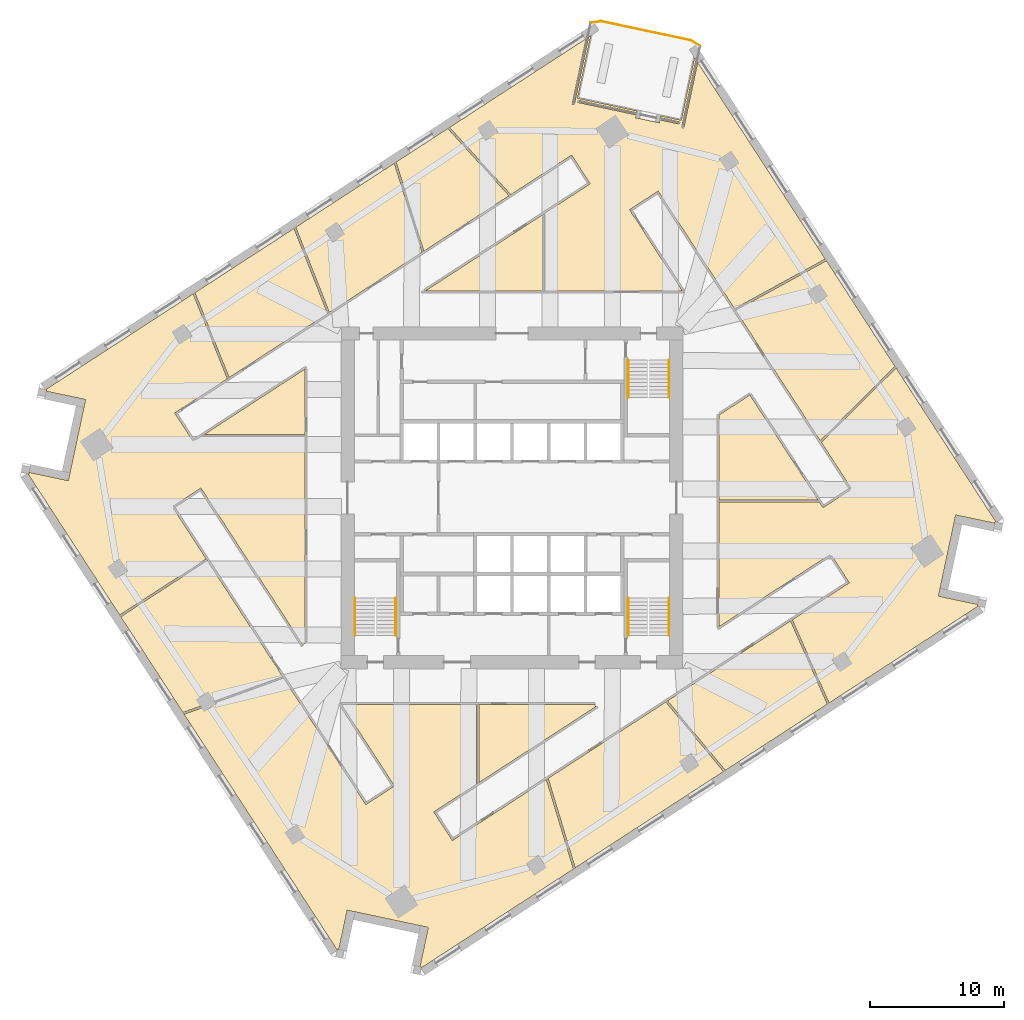
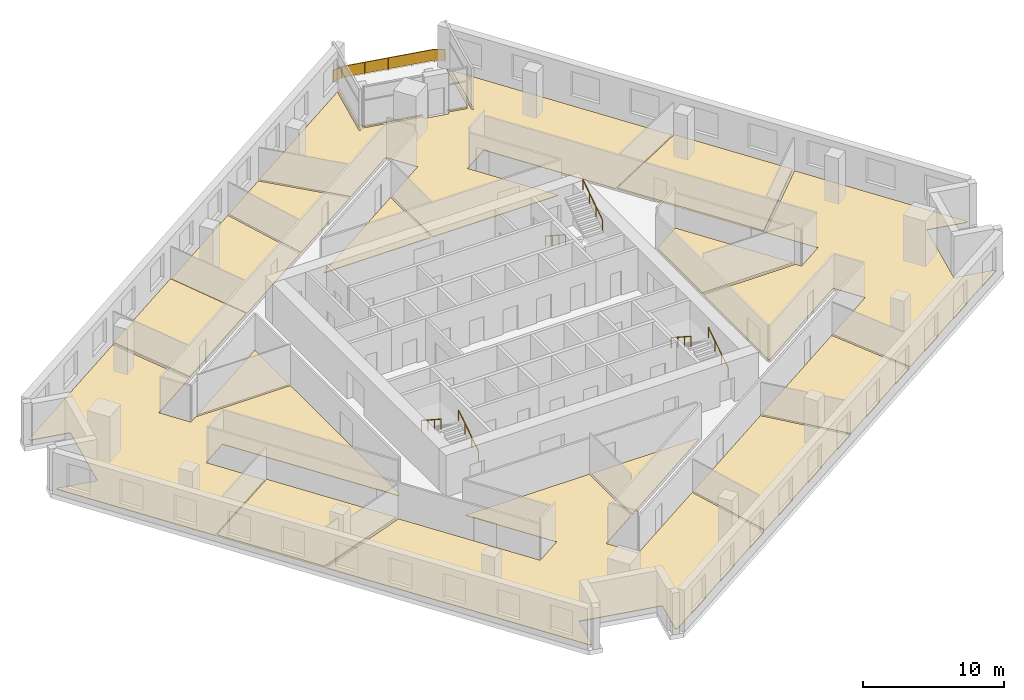
# One storey, part 11 of 12: 15 coverings, 7 railings.
"""IFC4 building model written with IfcOpenShell, lengths in metres."""

from ifc_helpers import new_model, si_unit, direction, frame, origin, origin_2d, place, context, subcontext, project, spatial, polyline, rectangle, circle, outline, extrude, material, layer, layer_set, type_object, element, save


model = new_model("IFC4")

# Units and contexts
model_context = context("Model", 3, precision=1e-05, world=origin(), true_north=direction((0.0, 1.0)))
body_context = subcontext(model_context, "Body", "Model", "MODEL_VIEW")
ifc_project = project(units=[si_unit("LENGTHUNIT", "METRE"), si_unit("AREAUNIT", "SQUARE_METRE"), si_unit("VOLUMEUNIT", "CUBIC_METRE"), si_unit("PLANEANGLEUNIT", "RADIAN"), si_unit("MASSUNIT", "GRAM", prefix="KILO")], contexts=[model_context])

# Site, building, storey
site_placement = place(None, origin())
site = spatial("IfcSite", under=ifc_project, at=site_placement, CompositionType="ELEMENT")
building_placement = place(site_placement, origin())
building = spatial("IfcBuilding", under=site, at=building_placement, Name="Dilmun Exchange Tower", CompositionType="ELEMENT")
storey_placement = place(building_placement, frame((0.0, 0.0, 155.699951171875)))
storey = spatial("IfcBuildingStorey", under=building, at=storey_placement, Name="L36", CompositionType="ELEMENT", Elevation=155.699951171875)

# Coverings
ifc_material_1 = material(Name="Carpet floor finish 50")
ifc_layer_1 = layer(ifc_material_1, 0.050048828125)
ifc_layer_set_1 = layer_set([ifc_layer_1], Name="Carpet floor finish 50")
covering_type_1 = type_object("IfcCoveringType", Name="Carpet floor finish 50", PredefinedType="FLOORING", material=ifc_layer_set_1)
covering_1_placement = place(storey_placement, origin())
element("IfcCovering", 1, at=covering_1_placement, inside=storey, type_object=covering_type_1, Name="Carpet floor finish 50 Open office 1", PredefinedType="FLOORING", context=body_context, shape_type="SweptSolid", body=[
    extrude(outline(polyline([(-23.27685546875, 0.72998046875), (-25.415283203125, -0.658935546875), (-22.8759765625, -4.5693359375), (-29.35791015625, -8.769775390625), (-36.230712890625, 1.813720703125), (-36.16162109375, 1.798828125), (-36.161376953125, 1.798828125), (-36.1611328125, 1.798828125), (-36.160888671875, 1.798828125), (-36.16064453125, 1.798828125), (-36.160400390625, 1.798828125), (-36.160400390625, 1.799072265625), (-36.16015625, 1.799072265625), (-36.159912109375, 1.799072265625), (-36.159912109375, 1.79931640625), (-36.15966796875, 1.79931640625), (-36.159423828125, 1.799560546875), (-36.159423828125, 1.7998046875), (-36.1591796875, 1.7998046875), (-36.1591796875, 1.800048828125), (-36.1591796875, 1.80029296875), (-36.1591796875, 1.80029296875), (-36.136474609375, 1.9072265625), (-33.203857421875, 1.283935546875), (-33.20361328125, 1.283935546875), (-33.20361328125, 1.283935546875), (-33.203369140625, 1.283935546875), (-33.203125, 1.283935546875), (-33.202880859375, 1.283935546875), (-33.20263671875, 1.2841796875), (-33.202392578125, 1.2841796875), (-33.202392578125, 1.2841796875), (-33.2021484375, 1.284423828125), (-33.2021484375, 1.284423828125), (-33.201904296875, 1.28466796875), (-33.201904296875, 1.284912109375), (-33.20166015625, 1.284912109375), (-33.20166015625, 1.28515625), (-33.20166015625, 1.285400390625), (-33.201416015625, 1.285400390625), (-33.076904296875, 1.872314453125), (-33.07666015625, 1.87255859375), (-33.07666015625, 1.872802734375), (-32.037109375, 6.76318359375), (-32.037109375, 6.76318359375), (-32.037109375, 6.763427734375), (-31.91259765625, 7.35009765625), (-31.912353515625, 7.35009765625), (-31.912353515625, 7.350341796875), (-31.912353515625, 7.3505859375), (-31.91259765625, 7.350830078125), (-31.91259765625, 7.35107421875), (-31.91259765625, 7.351318359375), (-31.91259765625, 7.351318359375), (-31.912841796875, 7.3515625), (-31.912841796875, 7.351806640625), (-31.9130859375, 7.351806640625), (-31.9130859375, 7.35205078125), (-31.913330078125, 7.35205078125), (-31.91357421875, 7.352294921875), (-31.91357421875, 7.352294921875), (-31.913818359375, 7.352294921875), (-31.9140625, 7.352294921875), (-34.846435546875, 7.9755859375), (-34.82373046875, 8.08251953125), (-34.82373046875, 8.082763671875), (-34.82373046875, 8.0830078125), (-34.82373046875, 8.083251953125), (-34.82373046875, 8.08349609375), (-34.82373046875, 8.08349609375), (-34.823974609375, 8.083740234375), (-34.823974609375, 8.083984375), (-34.82421875, 8.083984375), (-34.82421875, 8.084228515625), (-34.82421875, 8.08447265625), (-34.824462890625, 8.084716796875), (-34.82470703125, 8.084716796875), (-34.82470703125, 8.084716796875), (-34.824951171875, 8.0849609375), (-34.8251953125, 8.0849609375), (-34.8251953125, 8.0849609375), (-34.894775390625, 8.099609375), (-23.85595703125, 15.268310546875), (-21.294189453125, 8.91455078125), (-25.238037109375, 6.353515625), (-23.84912109375, 4.21484375), (-23.259033203125, 4.59814453125), (-15.47509765625, 4.59814453125), (-15.47509765625, -10.8701171875), (-15.6640625, -10.992919921875), (-23.27685546875, 0.72998046875)])), origin(), (0.0, 0.0, 1.0), 0.050048828125),
])
covering_2_placement = place(storey_placement, origin())
element("IfcCovering", 2, at=covering_2_placement, inside=storey, type_object=covering_type_1, Name="Carpet floor finish 50 Break-out lounge 1", PredefinedType="FLOORING", context=body_context, shape_type="SweptSolid", body=[
    extrude(outline(polyline([(-15.47509765625, 4.748046875), (-23.028076171875, 4.748046875), (-15.47509765625, 9.653076171875), (-15.47509765625, 4.748046875)])), origin(), (0.0, 0.0, 1.0), 0.050048828125),
])
covering_3_placement = place(storey_placement, origin())
element("IfcCovering", 3, at=covering_3_placement, inside=storey, type_object=covering_type_1, Name="Carpet floor finish 50 Open office 2", PredefinedType="FLOORING", context=body_context, shape_type="SweptSolid", body=[
    extrude(outline(polyline([(-17.07958984375, -13.4951171875), (-10.939453125, -22.9501953125), (-8.80078125, -21.561279296875), (-12.753173828125, -15.47509765625), (-2.6025390625, -15.47509765625), (-2.6025390625, -21.392822265625), (-5.85009765625, -23.501708984375), (-4.461181640625, -25.640380859375), (2.573486328125, -21.072021484375), (4.5986328125, -27.774169921875), (-6.79345703125, -35.17236328125), (-6.77880859375, -35.10302734375), (-6.77880859375, -35.102783203125), (-6.77880859375, -35.1025390625), (-6.77880859375, -35.102294921875), (-6.77880859375, -35.102294921875), (-6.77880859375, -35.10205078125), (-6.77880859375, -35.101806640625), (-6.779052734375, -35.1015625), (-6.779052734375, -35.1015625), (-6.779296875, -35.101318359375), (-6.779296875, -35.101318359375), (-6.779296875, -35.10107421875), (-6.779541015625, -35.100830078125), (-6.77978515625, -35.100830078125), (-6.77978515625, -35.1005859375), (-6.780029296875, -35.1005859375), (-6.7802734375, -35.1005859375), (-6.88720703125, -35.077880859375), (-6.263916015625, -32.1455078125), (-6.263916015625, -32.145263671875), (-6.263916015625, -32.14501953125), (-6.263916015625, -32.144775390625), (-6.263916015625, -32.14453125), (-6.263916015625, -32.144287109375), (-6.263916015625, -32.144287109375), (-6.26416015625, -32.14404296875), (-6.26416015625, -32.143798828125), (-6.264404296875, -32.143798828125), (-6.264404296875, -32.1435546875), (-6.2646484375, -32.143310546875), (-6.2646484375, -32.143310546875), (-6.264892578125, -32.143310546875), (-6.26513671875, -32.14306640625), (-6.26513671875, -32.14306640625), (-6.265380859375, -32.14306640625), (-6.852294921875, -32.018310546875), (-6.8525390625, -32.018310546875), (-6.8525390625, -32.018310546875), (-11.742919921875, -30.978759765625), (-11.7431640625, -30.978759765625), (-11.743408203125, -30.978759765625), (-12.329833984375, -30.85400390625), (-12.330078125, -30.85400390625), (-12.330322265625, -30.85400390625), (-12.33056640625, -30.85400390625), (-12.330810546875, -30.85400390625), (-12.330810546875, -30.85400390625), (-12.3310546875, -30.85400390625), (-12.331298828125, -30.854248046875), (-12.331298828125, -30.854248046875), (-12.33154296875, -30.8544921875), (-12.331787109375, -30.8544921875), (-12.331787109375, -30.8544921875), (-12.33203125, -30.854736328125), (-12.33203125, -30.85498046875), (-12.332275390625, -30.85498046875), (-12.332275390625, -30.855224609375), (-12.332275390625, -30.85546875), (-12.95556640625, -33.7880859375), (-13.0625, -33.765380859375), (-13.062744140625, -33.765380859375), (-13.06298828125, -33.765380859375), (-13.06298828125, -33.765380859375), (-13.063232421875, -33.765380859375), (-13.0634765625, -33.765380859375), (-13.063720703125, -33.765380859375), (-13.063720703125, -33.765380859375), (-13.06396484375, -33.765625), (-13.064208984375, -33.765625), (-13.064208984375, -33.765869140625), (-13.064453125, -33.76611328125), (-13.064697265625, -33.76611328125), (-13.064697265625, -33.766357421875), (-13.064697265625, -33.7666015625), (-13.064697265625, -33.7666015625), (-13.06494140625, -33.766845703125), (-13.07958984375, -33.836181640625), (-24.5380859375, -16.191650390625), (-17.07958984375, -13.4951171875)])), origin(), (0.0, 0.0, 1.0), 0.050048828125),
])
covering_4_placement = place(storey_placement, origin())
element("IfcCovering", 4, at=covering_4_placement, inside=storey, type_object=covering_type_1, Name="Carpet floor finish 50 Break-out lounge 2", PredefinedType="FLOORING", context=body_context, shape_type="SweptSolid", body=[
    extrude(outline(polyline([(-2.45263671875, -15.47509765625), (6.1884765625, -15.47509765625), (6.283935546875, -15.621826171875), (-2.45263671875, -21.29541015625), (-2.45263671875, -15.47509765625)])), origin(), (0.0, 0.0, 1.0), 0.050048828125),
])
covering_5_placement = place(storey_placement, origin())
element("IfcCovering", 5, at=covering_5_placement, inside=storey, type_object=covering_type_1, Name="Carpet floor finish 50 Break-out lounge 3", PredefinedType="FLOORING", context=body_context, shape_type="SweptSolid", body=[
    extrude(outline(polyline([(11.509033203125, -15.269287109375), (15.8349609375, -20.477294921875), (4.7294921875, -27.689208984375), (2.70458984375, -20.98681640625), (11.509033203125, -15.269287109375)])), origin(), (0.0, 0.0, 1.0), 0.050048828125),
])
covering_6_placement = place(storey_placement, origin())
element("IfcCovering", 6, at=covering_6_placement, inside=storey, type_object=covering_type_1, Name="Carpet floor finish 50 Garden lounge", PredefinedType="FLOORING", context=body_context, shape_type="SweptSolid", body=[
    extrude(outline(polyline([(2.45654296875, 15.47509765625), (2.45654296875, 21.298095703125), (5.85009765625, 23.501708984375), (4.461181640625, 25.640380859375), (-0.087646484375, 22.686279296875), (-4.6796875, 27.721435546875), (5.538818359375, 34.357666015625), (4.49658203125, 29.4541015625), (4.49658203125, 29.453857421875), (4.49658203125, 29.45361328125), (4.49658203125, 29.45361328125), (4.49658203125, 29.453369140625), (4.49658203125, 29.453125), (4.49658203125, 29.452880859375), (4.496826171875, 29.45263671875), (4.496826171875, 29.452392578125), (4.4970703125, 29.452392578125), (4.4970703125, 29.4521484375), (4.497314453125, 29.4521484375), (4.497314453125, 29.451904296875), (4.49755859375, 29.451904296875), (4.497802734375, 29.451904296875), (4.497802734375, 29.45166015625), (4.498046875, 29.45166015625), (4.654541015625, 29.41845703125), (4.65478515625, 29.41845703125), (4.655029296875, 29.41845703125), (4.6552734375, 29.41845703125), (4.655517578125, 29.41845703125), (4.655517578125, 29.41845703125), (4.65576171875, 29.41845703125), (4.656005859375, 29.418701171875), (4.656005859375, 29.418701171875), (4.65625, 29.418701171875), (4.656494140625, 29.4189453125), (4.656494140625, 29.419189453125), (4.65673828125, 29.419189453125), (4.65673828125, 29.41943359375), (4.656982421875, 29.419677734375), (4.656982421875, 29.419921875), (4.656982421875, 29.419921875), (5.7333984375, 34.48388671875), (5.903076171875, 34.593994140625), (4.906005859375, 29.90380859375), (9.368408203125, 28.955078125), (9.338623046875, 28.815185546875), (4.94970703125, 29.748291015625), (4.949462890625, 29.748291015625), (4.94921875, 29.748291015625), (4.94921875, 29.748291015625), (4.948974609375, 29.748291015625), (4.94873046875, 29.748291015625), (4.948486328125, 29.748291015625), (4.9482421875, 29.748046875), (4.947998046875, 29.748046875), (4.947998046875, 29.747802734375), (4.94775390625, 29.747802734375), (4.94775390625, 29.74755859375), (4.947509765625, 29.74755859375), (4.947509765625, 29.747314453125), (4.947509765625, 29.7470703125), (4.947265625, 29.7470703125), (4.947265625, 29.746826171875), (4.9140625, 29.59033203125), (4.9140625, 29.590087890625), (4.9140625, 29.58984375), (4.9140625, 29.589599609375), (4.9140625, 29.589599609375), (4.9140625, 29.58935546875), (4.9140625, 29.589111328125), (4.914306640625, 29.5888671875), (4.914306640625, 29.5888671875), (4.914306640625, 29.588623046875), (4.91455078125, 29.58837890625), (4.914794921875, 29.58837890625), (4.914794921875, 29.588134765625), (4.9150390625, 29.588134765625), (4.915283203125, 29.587890625), (4.915283203125, 29.587890625), (4.91552734375, 29.587890625), (9.3046875, 28.65478515625), (9.25927734375, 28.441650390625), (9.25927734375, 28.44140625), (9.25927734375, 28.44140625), (9.25927734375, 28.441162109375), (9.25927734375, 28.44091796875), (9.25927734375, 28.440673828125), (9.259521484375, 28.4404296875), (9.259521484375, 28.440185546875), (9.259521484375, 28.440185546875), (9.259765625, 28.43994140625), (9.259765625, 28.43994140625), (9.260009765625, 28.439697265625), (9.260009765625, 28.439697265625), (9.26025390625, 28.439453125), (9.260498046875, 28.439453125), (9.260498046875, 28.439208984375), (9.2607421875, 28.439208984375), (11.021484375, 28.065185546875), (11.021728515625, 28.065185546875), (11.02197265625, 28.065185546875), (11.022216796875, 28.065185546875), (11.022216796875, 28.065185546875), (11.0224609375, 28.065185546875), (11.022705078125, 28.065185546875), (11.02294921875, 28.065185546875), (11.02294921875, 28.0654296875), (11.023193359375, 28.0654296875), (11.023193359375, 28.065673828125), (11.0234375, 28.06591796875), (11.023681640625, 28.06591796875), (11.023681640625, 28.066162109375), (11.023681640625, 28.06640625), (11.023681640625, 28.06640625), (11.02392578125, 28.066650390625), (11.069091796875, 28.27978515625), (12.523681640625, 27.970703125), (12.52392578125, 27.970703125), (12.524169921875, 27.970703125), (12.5244140625, 27.970703125), (12.5244140625, 27.970703125), (12.524658203125, 27.970703125), (12.52490234375, 27.970703125), (12.525146484375, 27.970947265625), (12.525390625, 27.970947265625), (12.525390625, 27.97119140625), (12.525634765625, 27.97119140625), (12.525634765625, 27.971435546875), (12.52587890625, 27.971435546875), (12.52587890625, 27.9716796875), (12.52587890625, 27.971923828125), (12.526123046875, 27.971923828125), (12.526123046875, 27.97216796875), (12.559326171875, 28.128662109375), (12.559326171875, 28.12890625), (12.559326171875, 28.129150390625), (12.559326171875, 28.12939453125), (12.559326171875, 28.12939453125), (12.559326171875, 28.129638671875), (12.559326171875, 28.1298828125), (12.55908203125, 28.130126953125), (12.55908203125, 28.130126953125), (12.55908203125, 28.13037109375), (12.558837890625, 28.130615234375), (12.55859375, 28.130615234375), (12.55859375, 28.130859375), (12.558349609375, 28.130859375), (12.55810546875, 28.131103515625), (12.55810546875, 28.131103515625), (12.557861328125, 28.131103515625), (11.103271484375, 28.440185546875), (11.133056640625, 28.580078125), (12.660888671875, 28.25537109375), (13.657958984375, 32.94580078125), (13.76806640625, 32.776123046875), (12.691650390625, 27.712158203125), (12.691650390625, 27.7119140625), (12.691650390625, 27.7119140625), (12.691650390625, 27.711669921875), (12.691650390625, 27.71142578125), (12.691650390625, 27.711181640625), (12.69189453125, 27.7109375), (12.69189453125, 27.710693359375), (12.69189453125, 27.710693359375), (12.692138671875, 27.71044921875), (12.692138671875, 27.710205078125), (12.6923828125, 27.710205078125), (12.6923828125, 27.710205078125), (12.692626953125, 27.7099609375), (12.69287109375, 27.7099609375), (12.693115234375, 27.709716796875), (12.693115234375, 27.709716796875), (12.849609375, 27.676513671875), (12.849853515625, 27.676513671875), (12.85009765625, 27.676513671875), (12.850341796875, 27.676513671875), (12.8505859375, 27.676513671875), (12.8505859375, 27.676513671875), (12.850830078125, 27.676513671875), (12.85107421875, 27.6767578125), (12.851318359375, 27.6767578125), (12.851318359375, 27.677001953125), (12.8515625, 27.677001953125), (12.851806640625, 27.67724609375), (12.851806640625, 27.67724609375), (12.851806640625, 27.677490234375), (12.85205078125, 27.677734375), (12.85205078125, 27.677978515625), (12.85205078125, 27.677978515625), (13.894287109375, 32.58154296875), (23.4462890625, 17.872802734375), (16.652587890625, 14.15234375), (10.939453125, 22.9501953125), (8.80078125, 21.561279296875), (12.753173828125, 15.47509765625), (2.45654296875, 15.47509765625)])), origin(), (0.0, 0.0, 1.0), 0.050048828125),
])
covering_7_placement = place(storey_placement, origin())
element("IfcCovering", 7, at=covering_7_placement, inside=storey, type_object=covering_type_1, Name="Carpet floor finish 50 Break-out lounge 4", PredefinedType="FLOORING", context=body_context, shape_type="SweptSolid", body=[
    extrude(outline(polyline([(20.844482421875, -9.206787109375), (23.59716796875, -15.436279296875), (15.961669921875, -20.39501953125), (11.635498046875, -15.18701171875), (20.844482421875, -9.206787109375)])), origin(), (0.0, 0.0, 1.0), 0.050048828125),
])
covering_8_placement = place(storey_placement, origin())
element("IfcCovering", 8, at=covering_8_placement, inside=storey, type_object=covering_type_1, Name="Carpet floor finish 50 Open office 3", PredefinedType="FLOORING", context=body_context, shape_type="SweptSolid", body=[
    extrude(outline(polyline([(20.9716796875, -9.123779296875), (25.238037109375, -6.353515625), (23.84912109375, -4.21484375), (15.47509765625, -9.653076171875), (15.47509765625, -0.326416015625), (23.014892578125, -0.326416015625), (23.27685546875, -0.72998046875), (25.415283203125, 0.658935546875), (23.1474609375, 4.1513671875), (28.740478515625, 9.72021484375), (36.230712890625, -1.813720703125), (36.16162109375, -1.798828125), (36.161376953125, -1.798828125), (36.1611328125, -1.798828125), (36.160888671875, -1.798828125), (36.16064453125, -1.798828125), (36.160400390625, -1.798828125), (36.160400390625, -1.799072265625), (36.16015625, -1.799072265625), (36.159912109375, -1.799072265625), (36.159912109375, -1.79931640625), (36.15966796875, -1.79931640625), (36.159423828125, -1.799560546875), (36.159423828125, -1.7998046875), (36.1591796875, -1.7998046875), (36.1591796875, -1.800048828125), (36.1591796875, -1.80029296875), (36.1591796875, -1.80029296875), (36.136474609375, -1.9072265625), (33.203857421875, -1.283935546875), (33.20361328125, -1.283935546875), (33.20361328125, -1.283935546875), (33.203369140625, -1.283935546875), (33.203125, -1.283935546875), (33.202880859375, -1.283935546875), (33.20263671875, -1.2841796875), (33.202392578125, -1.2841796875), (33.202392578125, -1.2841796875), (33.2021484375, -1.284423828125), (33.2021484375, -1.284423828125), (33.201904296875, -1.28466796875), (33.201904296875, -1.284912109375), (33.20166015625, -1.284912109375), (33.20166015625, -1.28515625), (33.20166015625, -1.285400390625), (33.201416015625, -1.285400390625), (33.076904296875, -1.872314453125), (33.07666015625, -1.87255859375), (33.07666015625, -1.872802734375), (32.037109375, -6.76318359375), (32.037109375, -6.76318359375), (32.037109375, -6.763427734375), (31.91259765625, -7.35009765625), (31.912353515625, -7.35009765625), (31.912353515625, -7.350341796875), (31.912353515625, -7.3505859375), (31.91259765625, -7.350830078125), (31.91259765625, -7.35107421875), (31.91259765625, -7.351318359375), (31.91259765625, -7.351318359375), (31.912841796875, -7.3515625), (31.912841796875, -7.351806640625), (31.9130859375, -7.351806640625), (31.9130859375, -7.35205078125), (31.913330078125, -7.35205078125), (31.91357421875, -7.352294921875), (31.91357421875, -7.352294921875), (31.913818359375, -7.352294921875), (31.9140625, -7.352294921875), (34.846435546875, -7.9755859375), (34.82373046875, -8.08251953125), (34.82373046875, -8.082763671875), (34.82373046875, -8.0830078125), (34.82373046875, -8.083251953125), (34.82373046875, -8.08349609375), (34.82373046875, -8.08349609375), (34.823974609375, -8.083740234375), (34.823974609375, -8.083984375), (34.82421875, -8.083984375), (34.82421875, -8.084228515625), (34.82421875, -8.08447265625), (34.824462890625, -8.084716796875), (34.82470703125, -8.084716796875), (34.82470703125, -8.084716796875), (34.824951171875, -8.0849609375), (34.8251953125, -8.0849609375), (34.8251953125, -8.0849609375), (34.894775390625, -8.099609375), (23.724609375, -15.353759765625), (20.9716796875, -9.123779296875)])), origin(), (0.0, 0.0, 1.0), 0.050048828125),
])
ifc_material_2 = material(Name="Raised access floor 150")
ifc_layer_2 = layer(ifc_material_2, 0.14990234375)
ifc_layer_set_2 = layer_set([ifc_layer_2], Name="Raised access floor 150")
covering_type_2 = type_object("IfcCoveringType", Name="Raised access floor 150", PredefinedType="FLOORING", material=ifc_layer_set_2)
covering_9_placement = place(storey_placement, origin())
element("IfcCovering", 9, at=covering_9_placement, inside=storey, type_object=covering_type_2, Name="Raised access floor 150 Data room 1", PredefinedType="FLOORING", context=body_context, shape_type="SweptSolid", body=[
    extrude(outline(polyline([(-22.794189453125, -4.695068359375), (-17.163330078125, -13.365966796875), (-24.6220703125, -16.0625), (-29.276123046875, -8.8955078125), (-22.794189453125, -4.695068359375)])), origin(), (0.0, 0.0, 1.0), 0.150146484375),
])
covering_10_placement = place(storey_placement, origin())
element("IfcCovering", 10, at=covering_10_placement, inside=storey, type_object=covering_type_2, Name="Raised access floor 150 Data room 2", PredefinedType="FLOORING", context=body_context, shape_type="SweptSolid", body=[
    extrude(outline(polyline([(-13.792724609375, 13.7861328125), (-21.166015625, 8.997802734375), (-23.727783203125, 15.3515625), (-16.311767578125, 20.16748046875), (-13.792724609375, 13.7861328125)])), origin(), (0.0, 0.0, 1.0), 0.150146484375),
])
covering_11_placement = place(storey_placement, origin())
element("IfcCovering", 11, at=covering_11_placement, inside=storey, type_object=covering_type_2, Name="Raised access floor 150 Data room 3", PredefinedType="FLOORING", context=body_context, shape_type="SweptSolid", body=[
    extrude(outline(polyline([(15.47509765625, 6.1884765625), (17.802490234375, 7.699951171875), (22.91748046875, -0.17626953125), (15.47509765625, -0.17626953125), (15.47509765625, 6.1884765625)])), origin(), (0.0, 0.0, 1.0), 0.150146484375),
])
covering_12_placement = place(storey_placement, origin())
element("IfcCovering", 12, at=covering_12_placement, inside=storey, type_object=covering_type_2, Name="Raised access floor 150 Data room 4", PredefinedType="FLOORING", context=body_context, shape_type="SweptSolid", body=[
    extrude(outline(polyline([(23.06396484375, 4.27978515625), (16.734619140625, 14.026123046875), (23.5283203125, 17.74658203125), (28.656982421875, 9.848876953125), (23.06396484375, 4.27978515625)])), origin(), (0.0, 0.0, 1.0), 0.150146484375),
])

# Railings
ifc_material_3 = material(Name="Stainless steel", Category="steel")
railing_type_1 = type_object("IfcRailingType", Name="Stair handrail 900", PredefinedType="HANDRAIL", material=ifc_material_3)
railing_1_placement = place(storey_placement, frame((8.699951171875, 10.300048828125, 0.181884765625)))
element("IfcRailing", 13, at=railing_1_placement, inside=storey, type_object=railing_type_1, Name="L36 ST1 stair handrail 1", PredefinedType="HANDRAIL", context=body_context, shape_type="SweptSolid", body=[
    extrude(circle(Radius=0.02392578125, at=origin_2d()), frame((0.0, 0.0, 0.8759765625), z_axis=(0.0, -0.838705829183, 0.544584733623), x_axis=(1.0, 0.0, 0.0)), (0.0, 0.0, 1.0), 3.338623046875),
    extrude(circle(Radius=0.02099609375, at=origin_2d()), origin(), (0.0, 0.0, 1.0), 0.851806640625),
    extrude(circle(Radius=0.02099609375, at=origin_2d()), frame((0.0, -0.933349609375, 0.60595703125)), (0.0, 0.0, 1.0), 0.851806640625),
    extrude(circle(Radius=0.02099609375, at=origin_2d()), frame((0.0, -1.86669921875, 1.212158203125)), (0.0, 0.0, 1.0), 0.851806640625),
    extrude(circle(Radius=0.02099609375, at=origin_2d()), frame((0.0, -2.800048828125, 1.818115234375)), (0.0, 0.0, 1.0), 0.851806640625),
])
for number, where, name in (
    (14, (11.75, 7.5, 2.181884765625), "L36 ST1 stair handrail 2"),
    (15, (-8.699951171875, -10.300048828125, 0.181884765625), "L36 ST2 stair handrail 1"),
):
    element("IfcRailing", number, at=place(storey_placement, frame(where)), inside=storey, type_object=railing_type_1, Name=name, PredefinedType="HANDRAIL", context=body_context, shape_type="SweptSolid", body=[
        extrude(circle(Radius=0.02392578125, at=origin_2d()), frame((0.0, 0.0, 0.8759765625), z_axis=(0.0, 0.838705829183, 0.544584733623), x_axis=(-1.0, 0.0, 0.0)), (0.0, 0.0, 1.0), 3.338623046875),
        extrude(circle(Radius=0.02099609375, at=origin_2d()), origin(), (0.0, 0.0, 1.0), 0.851806640625),
        extrude(circle(Radius=0.02099609375, at=origin_2d()), frame((0.0, 0.933349609375, 0.60595703125)), (0.0, 0.0, 1.0), 0.851806640625),
        extrude(circle(Radius=0.02099609375, at=origin_2d()), frame((0.0, 1.86669921875, 1.212158203125)), (0.0, 0.0, 1.0), 0.851806640625),
        extrude(circle(Radius=0.02099609375, at=origin_2d()), frame((0.0, 2.800048828125, 1.818115234375)), (0.0, 0.0, 1.0), 0.851806640625),
    ])
railing_2_placement = place(storey_placement, frame((-11.75, -7.5, 2.181884765625)))
element("IfcRailing", 16, at=railing_2_placement, inside=storey, type_object=railing_type_1, Name="L36 ST2 stair handrail 2", PredefinedType="HANDRAIL", context=body_context, shape_type="SweptSolid", body=[
    extrude(circle(Radius=0.02392578125, at=origin_2d()), frame((0.0, 0.0, 0.8759765625), z_axis=(0.0, -0.838705829183, 0.544584733623), x_axis=(1.0, 0.0, 0.0)), (0.0, 0.0, 1.0), 3.338623046875),
    extrude(circle(Radius=0.02099609375, at=origin_2d()), origin(), (0.0, 0.0, 1.0), 0.851806640625),
    extrude(circle(Radius=0.02099609375, at=origin_2d()), frame((0.0, -0.933349609375, 0.60595703125)), (0.0, 0.0, 1.0), 0.851806640625),
    extrude(circle(Radius=0.02099609375, at=origin_2d()), frame((0.0, -1.86669921875, 1.212158203125)), (0.0, 0.0, 1.0), 0.851806640625),
    extrude(circle(Radius=0.02099609375, at=origin_2d()), frame((0.0, -2.800048828125, 1.818115234375)), (0.0, 0.0, 1.0), 0.851806640625),
])
railing_3_placement = place(storey_placement, frame((11.75, -10.300048828125, 0.181884765625)))
element("IfcRailing", 17, at=railing_3_placement, inside=storey, type_object=railing_type_1, Name="L36 ST3 stair handrail 1", PredefinedType="HANDRAIL", context=body_context, shape_type="SweptSolid", body=[
    extrude(circle(Radius=0.02392578125, at=origin_2d()), frame((0.0, 0.0, 0.8759765625), z_axis=(0.0, 0.838705829183, 0.544584733623), x_axis=(-1.0, 0.0, 0.0)), (0.0, 0.0, 1.0), 3.338623046875),
    extrude(circle(Radius=0.02099609375, at=origin_2d()), origin(), (0.0, 0.0, 1.0), 0.851806640625),
    extrude(circle(Radius=0.02099609375, at=origin_2d()), frame((0.0, 0.933349609375, 0.60595703125)), (0.0, 0.0, 1.0), 0.851806640625),
    extrude(circle(Radius=0.02099609375, at=origin_2d()), frame((0.0, 1.86669921875, 1.212158203125)), (0.0, 0.0, 1.0), 0.851806640625),
    extrude(circle(Radius=0.02099609375, at=origin_2d()), frame((0.0, 2.800048828125, 1.818115234375)), (0.0, 0.0, 1.0), 0.851806640625),
])
railing_4_placement = place(storey_placement, frame((8.699951171875, -7.5, 2.181884765625)))
element("IfcRailing", 18, at=railing_4_placement, inside=storey, type_object=railing_type_1, Name="L36 ST3 stair handrail 2", PredefinedType="HANDRAIL", context=body_context, shape_type="SweptSolid", body=[
    extrude(circle(Radius=0.02392578125, at=origin_2d()), frame((0.0, 0.0, 0.8759765625), z_axis=(0.0, -0.838705829183, 0.544584733623), x_axis=(1.0, 0.0, 0.0)), (0.0, 0.0, 1.0), 3.338623046875),
    extrude(circle(Radius=0.02099609375, at=origin_2d()), origin(), (0.0, 0.0, 1.0), 0.851806640625),
    extrude(circle(Radius=0.02099609375, at=origin_2d()), frame((0.0, -0.933349609375, 0.60595703125)), (0.0, 0.0, 1.0), 0.851806640625),
    extrude(circle(Radius=0.02099609375, at=origin_2d()), frame((0.0, -1.86669921875, 1.212158203125)), (0.0, 0.0, 1.0), 0.851806640625),
    extrude(circle(Radius=0.02099609375, at=origin_2d()), frame((0.0, -2.800048828125, 1.818115234375)), (0.0, 0.0, 1.0), 0.851806640625),
])

# Coverings
ifc_material_4 = material(Name="Stone floor finish 50", Category="masonry")
ifc_layer_3 = layer(ifc_material_4, 0.050048828125)
ifc_layer_set_3 = layer_set([ifc_layer_3], Name="Stone floor finish 50")
covering_type_3 = type_object("IfcCoveringType", Name="Stone floor finish 50", PredefinedType="FLOORING", material=ifc_layer_set_3)
covering_13_placement = place(storey_placement, origin())
element("IfcCovering", 19, at=covering_13_placement, inside=storey, type_object=covering_type_3, Name="Stone floor finish 50 Reception 1", PredefinedType="FLOORING", context=body_context, shape_type="SweptSolid", body=[
    extrude(outline(polyline([(-13.664306640625, 13.869384765625), (-16.18359375, 20.2509765625), (-8.803955078125, 25.043212890625), (-6.72802734375, 18.373779296875), (-13.664306640625, 13.869384765625)])), origin(), (0.0, 0.0, 1.0), 0.050048828125),
])
covering_14_placement = place(storey_placement, origin())
element("IfcCovering", 20, at=covering_14_placement, inside=storey, type_object=covering_type_3, Name="Stone floor finish 50 Reception 2", PredefinedType="FLOORING", context=body_context, shape_type="SweptSolid", body=[
    extrude(outline(polyline([(-0.215087890625, 22.603515625), (-6.597412109375, 18.458740234375), (-8.67333984375, 25.128173828125), (-4.807373046875, 27.638671875), (-0.215087890625, 22.603515625)])), origin(), (0.0, 0.0, 1.0), 0.050048828125),
])

# Railing
railing_type_2 = type_object("IfcRailingType", Name="Terrace guard 1100 stainless steel", PredefinedType="GUARDRAIL", material=ifc_material_3)
railing_5_placement = place(storey_placement, frame((5.87548828125, 35.546875, 0.0)))
element("IfcRailing", 21, at=railing_5_placement, inside=storey, type_object=railing_type_2, Name="Terrace guard 1", PredefinedType="GUARDRAIL", context=body_context, shape_type="SweptSolid", body=[
    extrude(circle(Radius=0.02392578125, at=origin_2d()), frame((0.0, 0.0, 1.076171875), z_axis=(0.989470726233, 0.14473314039, 0.0), x_axis=(-0.14473314039, 0.989470726233, 0.0)), (0.0, 0.0, 1.0), 0.79443359375),
    extrude(rectangle(XDim=0.011962890625, YDim=0.951904296875, at=origin_2d()), frame((0.0, 0.0, 0.576171875), z_axis=(0.989470726233, 0.14473314039, 0.0), x_axis=(-0.14473314039, 0.989470726233, 0.0)), (0.0, 0.0, 1.0), 0.79443359375),
    extrude(circle(Radius=0.02392578125, at=origin_2d()), frame((0.7861328125, 0.114990234375, 1.076171875), z_axis=(0.978148580922, -0.207907079342, 0.0), x_axis=(0.207907079342, 0.978148580922, 0.0)), (0.0, 0.0, 1.0), 6.888427734375),
    extrude(rectangle(XDim=0.011962890625, YDim=0.951904296875, at=origin_2d()), frame((0.7861328125, 0.114990234375, 0.576171875), z_axis=(0.978148580922, -0.207907079342, 0.0), x_axis=(0.207907079342, 0.978148580922, 0.0)), (0.0, 0.0, 1.0), 6.888427734375),
    extrude(circle(Radius=0.02392578125, at=origin_2d()), frame((7.52392578125, -1.317138671875, 1.076171875), z_axis=(0.844962614897, -0.534825372834, 0.0), x_axis=(0.534825372834, 0.844962614897, 0.0)), (0.0, 0.0, 1.0), 0.794189453125),
    extrude(rectangle(XDim=0.011962890625, YDim=0.951904296875, at=origin_2d()), frame((7.52392578125, -1.317138671875, 0.576171875), z_axis=(0.844962614897, -0.534825372834, 0.0), x_axis=(0.534825372834, 0.844962614897, 0.0)), (0.0, 0.0, 1.0), 0.794189453125),
    extrude(circle(Radius=0.02099609375, at=origin_2d()), origin(), (0.0, 0.0, 1.0), 1.052001953125),
    extrude(circle(Radius=0.02099609375, at=origin_2d()), frame((0.7861328125, 0.114990234375, 0.0)), (0.0, 0.0, 1.0), 1.052001953125),
    extrude(circle(Radius=0.02099609375, at=origin_2d()), frame((2.470703125, -0.2431640625, 0.0)), (0.0, 0.0, 1.0), 1.052001953125),
    extrude(circle(Radius=0.02099609375, at=origin_2d()), frame((4.155029296875, -0.60107421875, 0.0)), (0.0, 0.0, 1.0), 1.052001953125),
    extrude(circle(Radius=0.02099609375, at=origin_2d()), frame((5.83935546875, -0.958984375, 0.0)), (0.0, 0.0, 1.0), 1.052001953125),
    extrude(circle(Radius=0.02099609375, at=origin_2d()), frame((7.52392578125, -1.317138671875, 0.0)), (0.0, 0.0, 1.0), 1.052001953125),
    extrude(circle(Radius=0.02099609375, at=origin_2d()), frame((8.195068359375, -1.741943359375, 0.0)), (0.0, 0.0, 1.0), 1.052001953125),
])

# Covering
ifc_material_5 = material(Name="Tile floor finish 50")
ifc_layer_4 = layer(ifc_material_5, 0.050048828125)
ifc_layer_set_4 = layer_set([ifc_layer_4], Name="Tile floor finish 50")
covering_type_4 = type_object("IfcCoveringType", Name="Tile floor finish 50", PredefinedType="FLOORING", material=ifc_layer_set_4)
covering_15_placement = place(storey_placement, origin())
element("IfcCovering", 22, at=covering_15_placement, inside=storey, type_object=covering_type_4, Name="Tile floor finish 50 Pantry", PredefinedType="FLOORING", context=body_context, shape_type="SweptSolid", body=[
    extrude(outline(polyline([(-1.20849609375, 18.917724609375), (2.306640625, 21.20068359375), (2.306640625, 15.47509765625), (-6.510009765625, 15.47509765625), (-1.20849609375, 18.917724609375)])), origin(), (0.0, 0.0, 1.0), 0.050048828125),
])

save(model, "model.ifc")
